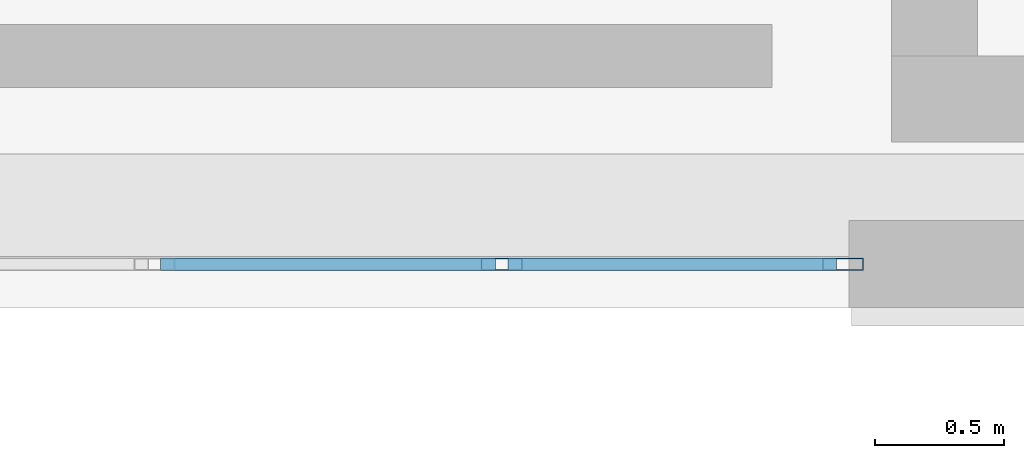
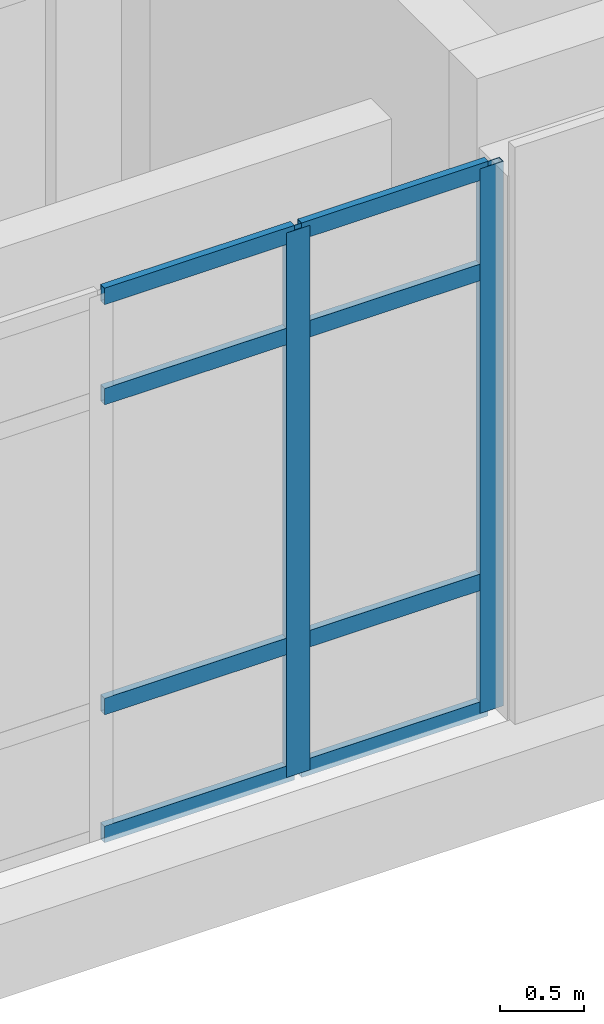
# One storey, part 3 of 22: 10 members, 1 element without a shape of its own.
"""IFC4 building model written with IfcOpenShell, lengths in metres."""

from ifc_helpers import new_model, si_unit, direction, frame, origin, origin_2d, place, context, subcontext, project, spatial, hollow_rectangle, extrude, material, layer, layer_set, material_profile, profile_set, type_object, element, aggregate, save


model = new_model("IFC4")

# Units and contexts
model_context = context("Model", 3, precision=1e-05, world=origin(), true_north=direction((0.0, 1.0)))
body_context = subcontext(model_context, "Body", "Model", "MODEL_VIEW")
ifc_project = project(units=[si_unit("LENGTHUNIT", "METRE"), si_unit("AREAUNIT", "SQUARE_METRE"), si_unit("VOLUMEUNIT", "CUBIC_METRE"), si_unit("PLANEANGLEUNIT", "RADIAN"), si_unit("MASSUNIT", "GRAM", prefix="KILO")], contexts=[model_context])

# Site, building, storey
site_placement = place(None, origin())
site = spatial("IfcSite", under=ifc_project, at=site_placement, CompositionType="ELEMENT")
building_placement = place(site_placement, origin())
building = spatial("IfcBuilding", under=site, at=building_placement, Name="Qalavern Law Courts", CompositionType="ELEMENT")
storey_placement = place(building_placement, frame((0.0, 0.0, 35.39990234375)))
storey = spatial("IfcBuildingStorey", under=building, at=storey_placement, Name="L08", CompositionType="ELEMENT", Elevation=35.39990234375)

# Curtain wall, members
ifc_material_1 = material(Name="Anodised aluminium and insulated glazing", Category="aluminium")
ifc_layer = layer(ifc_material_1, 0.159912109375)
ifc_layer_set = layer_set([ifc_layer], Name="Anodised aluminium and insulated glazing")
curtain_wall_type = type_object("IfcCurtainWallType", Name="ENV-CW-CHAMB", PredefinedType="USERDEFINED", material=ifc_layer_set)
curtain_wall_placement = place(storey_placement, origin())
curtain_wall = element("IfcCurtainWall", 1, at=curtain_wall_placement, inside=storey, type_object=curtain_wall_type, Name="V4 unitised curtain wall L08 south 2", ObjectType="UNITISED CURTAIN WALL", PredefinedType="USERDEFINED")
ifc_material_2 = material(Name="Anodised aluminium", Category="aluminium")
ifc_material_profile_1 = material_profile(ifc_material_2, hollow_rectangle(XDim=0.048095703125, YDim=0.159912109375, WallThickness=0.00390625, at=origin_2d()), Name="ALU MULLION 48x160")
ifc_profile_set_1 = profile_set([ifc_material_profile_1], Name="Anodised aluminium")
member_type_1 = type_object("IfcMemberType", Name="ENV-CWM-48x160", PredefinedType="MULLION", material=ifc_profile_set_1)
member_1_placement = place(storey_placement, frame((96.35009765625, 41.18994140625, 0.0), z_axis=(0.0, 0.0, 1.0), x_axis=(0.0, 1.0, 0.0)))
member_1 = element("IfcMember", 2, at=member_1_placement, type_object=member_type_1, Name="CW-04 mullion 4", PredefinedType="MULLION", context=body_context, shape_type="SweptSolid", body=[
    extrude(hollow_rectangle(XDim=0.048095703125, YDim=0.159912109375, WallThickness=0.00390625, at=origin_2d()), origin(), (0.0, 0.0, 1.0), 3.945068359375),
])
member_2_placement = place(storey_placement, frame((97.676025390625, 41.18994140625, 0.0), z_axis=(0.0, 0.0, 1.0), x_axis=(0.0, 1.0, 0.0)))
member_2 = element("IfcMember", 3, at=member_2_placement, type_object=member_type_1, Name="CW-04 mullion 5", PredefinedType="MULLION", context=body_context, shape_type="SweptSolid", body=[
    extrude(hollow_rectangle(XDim=0.048095703125, YDim=0.159912109375, WallThickness=0.00390625, at=origin_2d()), origin(), (0.0, 0.0, 1.0), 3.945068359375),
])
ifc_material_profile_2 = material_profile(ifc_material_2, hollow_rectangle(XDim=0.048095703125, YDim=0.1201171875, WallThickness=0.00390625, at=origin_2d()), Name="ALU TRANSOM 48x120")
ifc_profile_set_2 = profile_set([ifc_material_profile_2], Name="Anodised aluminium")
member_type_2 = type_object("IfcMemberType", Name="ENV-CWT-48x120", PredefinedType="USERDEFINED", material=ifc_profile_set_2)
member_3_placement = place(storey_placement, frame((95.02392578125, 41.18994140625, 0.024169921875), z_axis=(1.0, 0.0, 0.0), x_axis=(0.0, 1.0, 0.0)))
member_3 = element("IfcMember", 4, at=member_3_placement, type_object=member_type_2, Name="CW-04 transom 3.1", ObjectType="TRANSOM", PredefinedType="USERDEFINED", context=body_context, shape_type="SweptSolid", body=[
    extrude(hollow_rectangle(XDim=0.048095703125, YDim=0.1201171875, WallThickness=0.00390625, at=origin_2d()), origin(), (0.0, 0.0, 1.0), 1.302001953125),
])
member_4_placement = place(storey_placement, frame((95.02392578125, 41.18994140625, 0.9501953125), z_axis=(1.0, 0.0, 0.0), x_axis=(0.0, 1.0, 0.0)))
member_4 = element("IfcMember", 5, at=member_4_placement, type_object=member_type_2, Name="CW-04 transom 3.2", ObjectType="TRANSOM", PredefinedType="USERDEFINED", context=body_context, shape_type="SweptSolid", body=[
    extrude(hollow_rectangle(XDim=0.048095703125, YDim=0.1201171875, WallThickness=0.00390625, at=origin_2d()), origin(), (0.0, 0.0, 1.0), 1.302001953125),
])
member_5_placement = place(storey_placement, frame((95.02392578125, 41.18994140625, 3.195068359375), z_axis=(1.0, 0.0, 0.0), x_axis=(0.0, 1.0, 0.0)))
member_5 = element("IfcMember", 6, at=member_5_placement, type_object=member_type_2, Name="CW-04 transom 3.3", ObjectType="TRANSOM", PredefinedType="USERDEFINED", context=body_context, shape_type="SweptSolid", body=[
    extrude(hollow_rectangle(XDim=0.048095703125, YDim=0.1201171875, WallThickness=0.00390625, at=origin_2d()), origin(), (0.0, 0.0, 1.0), 1.302001953125),
])
member_6_placement = place(storey_placement, frame((95.02392578125, 41.18994140625, 3.921142578125), z_axis=(1.0, 0.0, 0.0), x_axis=(0.0, 1.0, 0.0)))
member_6 = element("IfcMember", 7, at=member_6_placement, type_object=member_type_2, Name="CW-04 transom 3.4", ObjectType="TRANSOM", PredefinedType="USERDEFINED", context=body_context, shape_type="SweptSolid", body=[
    extrude(hollow_rectangle(XDim=0.048095703125, YDim=0.1201171875, WallThickness=0.00390625, at=origin_2d()), origin(), (0.0, 0.0, 1.0), 1.302001953125),
])
member_7_placement = place(storey_placement, frame((96.3740234375, 41.18994140625, 0.024169921875), z_axis=(1.0, 0.0, 0.0), x_axis=(0.0, 1.0, 0.0)))
member_7 = element("IfcMember", 8, at=member_7_placement, type_object=member_type_2, Name="CW-04 transom 4.1", ObjectType="TRANSOM", PredefinedType="USERDEFINED", context=body_context, shape_type="SweptSolid", body=[
    extrude(hollow_rectangle(XDim=0.048095703125, YDim=0.1201171875, WallThickness=0.00390625, at=origin_2d()), origin(), (0.0, 0.0, 1.0), 1.278076171875),
])
member_8_placement = place(storey_placement, frame((96.3740234375, 41.18994140625, 0.9501953125), z_axis=(1.0, 0.0, 0.0), x_axis=(0.0, 1.0, 0.0)))
member_8 = element("IfcMember", 9, at=member_8_placement, type_object=member_type_2, Name="CW-04 transom 4.2", ObjectType="TRANSOM", PredefinedType="USERDEFINED", context=body_context, shape_type="SweptSolid", body=[
    extrude(hollow_rectangle(XDim=0.048095703125, YDim=0.1201171875, WallThickness=0.00390625, at=origin_2d()), origin(), (0.0, 0.0, 1.0), 1.278076171875),
])
member_9_placement = place(storey_placement, frame((96.3740234375, 41.18994140625, 3.195068359375), z_axis=(1.0, 0.0, 0.0), x_axis=(0.0, 1.0, 0.0)))
member_9 = element("IfcMember", 10, at=member_9_placement, type_object=member_type_2, Name="CW-04 transom 4.3", ObjectType="TRANSOM", PredefinedType="USERDEFINED", context=body_context, shape_type="SweptSolid", body=[
    extrude(hollow_rectangle(XDim=0.048095703125, YDim=0.1201171875, WallThickness=0.00390625, at=origin_2d()), origin(), (0.0, 0.0, 1.0), 1.278076171875),
])
member_10_placement = place(storey_placement, frame((96.3740234375, 41.18994140625, 3.921142578125), z_axis=(1.0, 0.0, 0.0), x_axis=(0.0, 1.0, 0.0)))
member_10 = element("IfcMember", 11, at=member_10_placement, type_object=member_type_2, Name="CW-04 transom 4.4", ObjectType="TRANSOM", PredefinedType="USERDEFINED", context=body_context, shape_type="SweptSolid", body=[
    extrude(hollow_rectangle(XDim=0.048095703125, YDim=0.1201171875, WallThickness=0.00390625, at=origin_2d()), origin(), (0.0, 0.0, 1.0), 1.278076171875),
])
aggregate(curtain_wall, [member_1, member_2, member_3, member_4, member_5, member_6, member_7, member_8, member_9, member_10])

save(model, "model.ifc")
